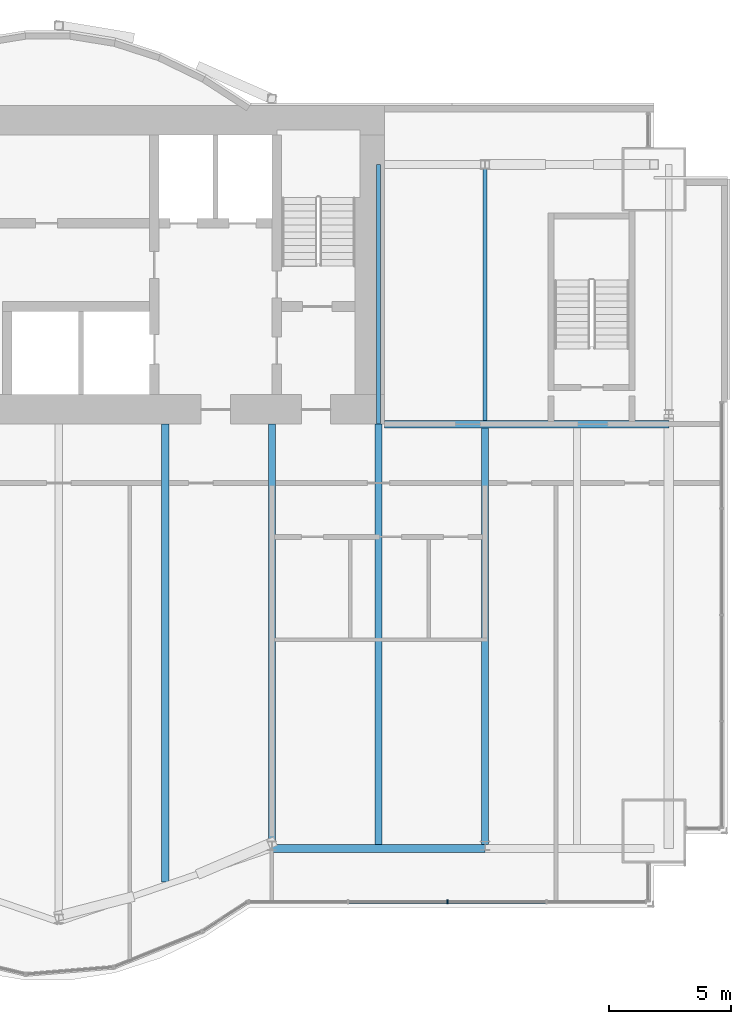
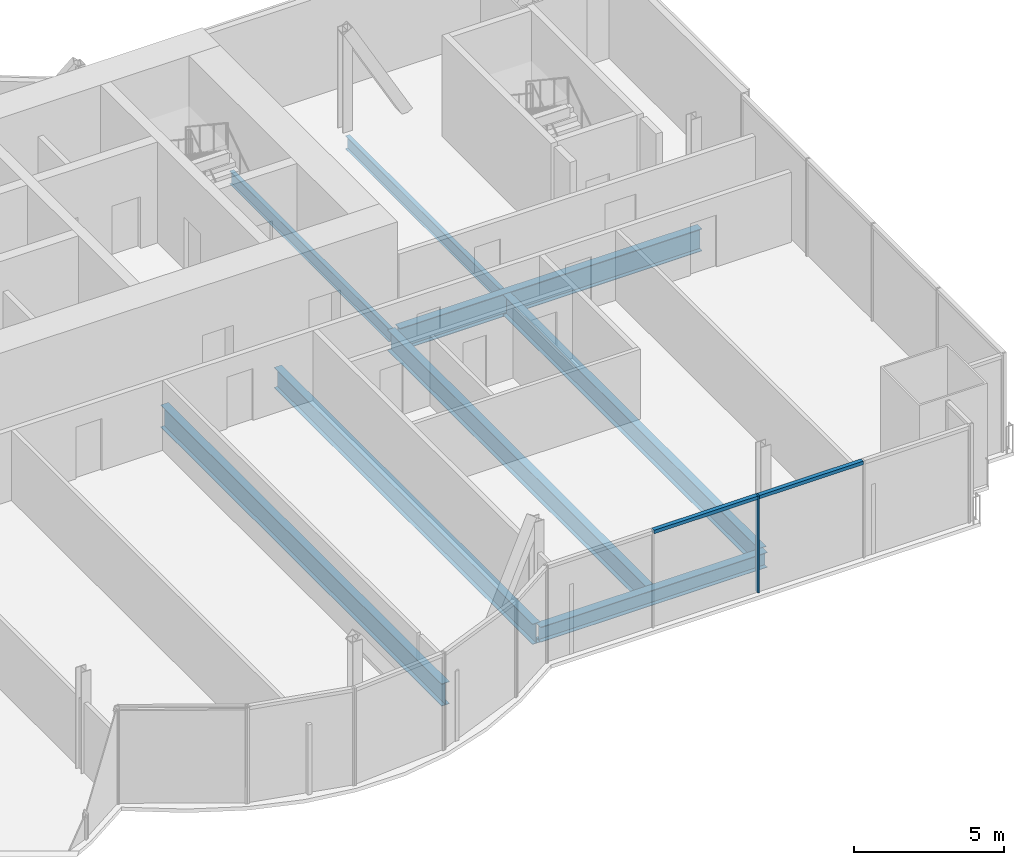
# One storey, part 9 of 20: 8 beams, 3 members, 1 element without a shape of its own.
"""IFC4 building model written with IfcOpenShell, lengths in metres."""

from ifc_helpers import new_model, si_unit, direction, frame, origin, origin_2d, place, context, subcontext, project, spatial, rectangle, i_section, extrude, material, material_profile, profile_set, type_object, element, aggregate, save


model = new_model("IFC4")

# Units and contexts
model_context = context("Model", 3, precision=1e-05, world=origin(), true_north=direction((0.0, 1.0)))
body_context = subcontext(model_context, "Body", "Model", "MODEL_VIEW")
ifc_project = project(units=[si_unit("LENGTHUNIT", "METRE"), si_unit("AREAUNIT", "SQUARE_METRE"), si_unit("VOLUMEUNIT", "CUBIC_METRE"), si_unit("PLANEANGLEUNIT", "RADIAN"), si_unit("MASSUNIT", "GRAM", prefix="KILO")], contexts=[model_context])

# Site, building, storey
site_placement = place(None, origin())
site = spatial("IfcSite", under=ifc_project, at=site_placement, CompositionType="ELEMENT")
building_placement = place(site_placement, origin())
building = spatial("IfcBuilding", under=site, at=building_placement, Name="Bicima Exchange Tower", CompositionType="ELEMENT")
storey_placement = place(building_placement, frame((0.0, 0.0, 199.10009765625)))
storey = spatial("IfcBuildingStorey", under=building, at=storey_placement, Name="L44", CompositionType="ELEMENT", Elevation=199.10009765625)

# Beams
ifc_material_1 = material(Name="Steel ASTM A992 Gr 50", Category="steel")
ifc_material_profile_1 = material_profile(ifc_material_1, i_section(OverallWidth=0.3046875, OverallDepth=0.911865234375, WebThickness=0.015869140625, FlangeThickness=0.02392578125, at=origin_2d()))
ifc_profile_set_1 = profile_set([ifc_material_profile_1], Name="Steel ASTM A992 Gr 50")
beam_type_1 = type_object("IfcBeamType", Name="Core-line girder W36x150", PredefinedType="BEAM", material=ifc_profile_set_1)
beam_1_placement = place(storey_placement, frame((22.0, -13.0, -0.60595703125), z_axis=(1.0, 0.0, 0.0), x_axis=(0.0, 1.0, 0.0)))
element("IfcBeam", 1, at=beam_1_placement, inside=storey, type_object=beam_type_1, Name="Core-line girder", PredefinedType="BEAM", context=body_context, shape_type="SweptSolid", body=[
    extrude(i_section(OverallWidth=0.3046875, OverallDepth=0.911865234375, WebThickness=0.015869140625, FlangeThickness=0.02392578125, at=origin_2d()), origin(), (0.0, 0.0, 1.0), 11.60009765625),
])
ifc_material_profile_2 = material_profile(ifc_material_1, i_section(OverallWidth=0.165771484375, OverallDepth=0.5283203125, WebThickness=0.009765625, FlangeThickness=0.013671875, at=origin_2d()))
ifc_profile_set_2 = profile_set([ifc_material_profile_2], Name="Steel ASTM A992 Gr 50")
beam_type_2 = type_object("IfcBeamType", Name="Floor beam W21x50", PredefinedType="JOIST", material=ifc_profile_set_2)
beam_2_placement = place(storey_placement, frame((21.75, -2.39990234375, -0.414306640625), z_axis=(0.0, -1.0, 0.0), x_axis=(1.0, 0.0, 0.0)))
element("IfcBeam", 2, at=beam_2_placement, inside=storey, type_object=beam_type_2, Name="Floor beam", PredefinedType="JOIST", context=body_context, shape_type="SweptSolid", body=[
    extrude(i_section(OverallWidth=0.165771484375, OverallDepth=0.5283203125, WebThickness=0.009765625, FlangeThickness=0.013671875, at=origin_2d()), origin(), (0.0, 0.0, 1.0), 10.60009765625),
])
beam_3_placement = place(storey_placement, frame((26.10009765625, -2.5625, -0.414306640625), z_axis=(0.0, -1.0, 0.0), x_axis=(1.0, 0.0, 0.0)))
element("IfcBeam", 3, at=beam_3_placement, inside=storey, type_object=beam_type_2, Name="Floor beam", PredefinedType="JOIST", context=body_context, shape_type="SweptSolid", body=[
    extrude(i_section(OverallWidth=0.165771484375, OverallDepth=0.5283203125, WebThickness=0.009765625, FlangeThickness=0.013671875, at=origin_2d()), origin(), (0.0, 0.0, 1.0), 10.28515625),
])
ifc_material_profile_3 = material_profile(ifc_material_1, i_section(OverallWidth=0.2919921875, OverallDepth=0.835693359375, WebThickness=0.013916015625, FlangeThickness=0.018798828125, at=origin_2d()))
ifc_profile_set_3 = profile_set([ifc_material_profile_3], Name="Steel ASTM A992 Gr 50")
beam_type_3 = type_object("IfcBeamType", Name="Floor beam W33x118", PredefinedType="JOIST", material=ifc_profile_set_3)
beam_4_placement = place(storey_placement, frame((17.39990234375, -13.0, -0.56787109375), z_axis=(0.0, -1.0, 0.0), x_axis=(1.0, 0.0, 0.0)))
element("IfcBeam", 4, at=beam_4_placement, inside=storey, type_object=beam_type_3, Name="Floor beam", PredefinedType="JOIST", context=body_context, shape_type="SweptSolid", body=[
    extrude(i_section(OverallWidth=0.2919921875, OverallDepth=0.835693359375, WebThickness=0.013916015625, FlangeThickness=0.018798828125, at=origin_2d()), origin(), (0.0, 0.0, 1.0), 17.1923828125),
])
beam_5_placement = place(storey_placement, frame((21.75, -13.0, -0.56787109375), z_axis=(0.0, -1.0, 0.0), x_axis=(1.0, 0.0, 0.0)))
element("IfcBeam", 5, at=beam_5_placement, inside=storey, type_object=beam_type_3, Name="Floor beam", PredefinedType="JOIST", context=body_context, shape_type="SweptSolid", body=[
    extrude(i_section(OverallWidth=0.2919921875, OverallDepth=0.835693359375, WebThickness=0.013916015625, FlangeThickness=0.018798828125, at=origin_2d()), origin(), (0.0, 0.0, 1.0), 17.165283203125),
])
beam_6_placement = place(storey_placement, frame((26.10009765625, -13.15234375, -0.56787109375), z_axis=(0.0, -1.0, 0.0), x_axis=(1.0, 0.0, 0.0)))
element("IfcBeam", 6, at=beam_6_placement, inside=storey, type_object=beam_type_3, Name="Floor beam", PredefinedType="JOIST", context=body_context, shape_type="SweptSolid", body=[
    extrude(i_section(OverallWidth=0.2919921875, OverallDepth=0.835693359375, WebThickness=0.013916015625, FlangeThickness=0.018798828125, at=origin_2d()), origin(), (0.0, 0.0, 1.0), 17.012939453125),
])
ifc_material_profile_4 = material_profile(ifc_material_1, i_section(OverallWidth=0.3046875, OverallDepth=0.904296875, WebThickness=0.01513671875, FlangeThickness=0.02001953125, at=origin_2d()))
ifc_profile_set_4 = profile_set([ifc_material_profile_4], Name="Steel ASTM A992 Gr 50")
beam_type_4 = type_object("IfcBeamType", Name="Floor beam W36x135", PredefinedType="JOIST", material=ifc_profile_set_4)
beam_7_placement = place(storey_placement, frame((13.050048828125, -13.0, -0.602294921875), z_axis=(0.0, -1.0, 0.0), x_axis=(1.0, 0.0, 0.0)))
element("IfcBeam", 7, at=beam_7_placement, inside=storey, type_object=beam_type_4, Name="Floor beam", PredefinedType="JOIST", context=body_context, shape_type="SweptSolid", body=[
    extrude(i_section(OverallWidth=0.3046875, OverallDepth=0.904296875, WebThickness=0.01513671875, FlangeThickness=0.02001953125, at=origin_2d()), origin(), (0.0, 0.0, 1.0), 18.68798828125),
])
ifc_material_profile_5 = material_profile(ifc_material_1, i_section(OverallWidth=0.3251953125, OverallDepth=0.612060546875, WebThickness=0.0126953125, FlangeThickness=0.01904296875, at=origin_2d()))
ifc_profile_set_5 = profile_set([ifc_material_profile_5], Name="Steel ASTM A992 Gr 50")
beam_type_5 = type_object("IfcBeamType", Name="Front girder W24x104", PredefinedType="BEAM", material=ifc_profile_set_5)
beam_8_placement = place(storey_placement, frame((17.39990234375, -30.327880859375, -0.456298828125), z_axis=(1.0, 0.0, 0.0), x_axis=(0.0, 1.0, 0.0)))
element("IfcBeam", 8, at=beam_8_placement, inside=storey, type_object=beam_type_5, Name="Front girder", PredefinedType="BEAM", context=body_context, shape_type="SweptSolid", body=[
    extrude(i_section(OverallWidth=0.3251953125, OverallDepth=0.612060546875, WebThickness=0.0126953125, FlangeThickness=0.01904296875, at=origin_2d()), origin(), (0.0, 0.0, 1.0), 8.7001953125),
])

# Curtain wall, members
ifc_material_2 = material(Name="Anodised bronze aluminium", Category="aluminium")
curtain_wall_type = type_object("IfcCurtainWallType", Name="Front glass wall", PredefinedType="NOTDEFINED", material=ifc_material_2)
curtain_wall_placement = place(storey_placement, origin())
curtain_wall = element("IfcCurtainWall", 9, at=curtain_wall_placement, inside=storey, type_object=curtain_wall_type, Name="Front glass wall L44 run 16", PredefinedType="NOTDEFINED")
ifc_material_profile_6 = material_profile(ifc_material_2, rectangle(XDim=0.159912109375, YDim=0.06005859375, at=origin_2d()))
ifc_profile_set_6 = profile_set([ifc_material_profile_6], Name="Anodised bronze aluminium")
member_type_1 = type_object("IfcMemberType", Name="Front glass wall mullion 60 x 160", PredefinedType="MULLION", material=ifc_profile_set_6)
member_1_placement = place(storey_placement, frame((24.56103515625, -32.498046875, 0.0), z_axis=(0.0, 0.0, 1.0), x_axis=(0.0, 1.0, 0.0)))
member_1 = element("IfcMember", 10, at=member_1_placement, type_object=member_type_1, Name="Front glass wall mullion 3", PredefinedType="MULLION", context=body_context, shape_type="SweptSolid", body=[
    extrude(rectangle(XDim=0.159912109375, YDim=0.06005859375, at=origin_2d()), origin(), (0.0, 0.0, 1.0), 3.949951171875),
])
ifc_material_profile_7 = material_profile(ifc_material_2, rectangle(XDim=0.159912109375, YDim=0.139892578125, at=origin_2d()))
ifc_profile_set_7 = profile_set([ifc_material_profile_7], Name="Anodised bronze aluminium")
member_type_2 = type_object("IfcMemberType", Name="Front glass wall transom 140 x 160", PredefinedType="USERDEFINED", material=ifc_profile_set_7)
member_2_placement = place(storey_placement, frame((20.54150390625, -32.498046875, 3.8798828125), z_axis=(1.0, 0.0, 0.0), x_axis=(0.0, 1.0, 0.0)))
member_2 = element("IfcMember", 11, at=member_2_placement, type_object=member_type_2, Name="Front glass wall transom 2.1", ObjectType="TRANSOM", PredefinedType="USERDEFINED", context=body_context, shape_type="SweptSolid", body=[
    extrude(rectangle(XDim=0.159912109375, YDim=0.139892578125, at=origin_2d()), origin(), (0.0, 0.0, 1.0), 3.989501953125),
])
member_3_placement = place(storey_placement, frame((24.591064453125, -32.498046875, 3.8798828125), z_axis=(1.0, 0.0, 0.0), x_axis=(0.0, 1.0, 0.0)))
member_3 = element("IfcMember", 12, at=member_3_placement, type_object=member_type_2, Name="Front glass wall transom 3.1", ObjectType="TRANSOM", PredefinedType="USERDEFINED", context=body_context, shape_type="SweptSolid", body=[
    extrude(rectangle(XDim=0.159912109375, YDim=0.139892578125, at=origin_2d()), origin(), (0.0, 0.0, 1.0), 3.989501953125),
])
aggregate(curtain_wall, [member_1, member_2, member_3])

save(model, "model.ifc")
